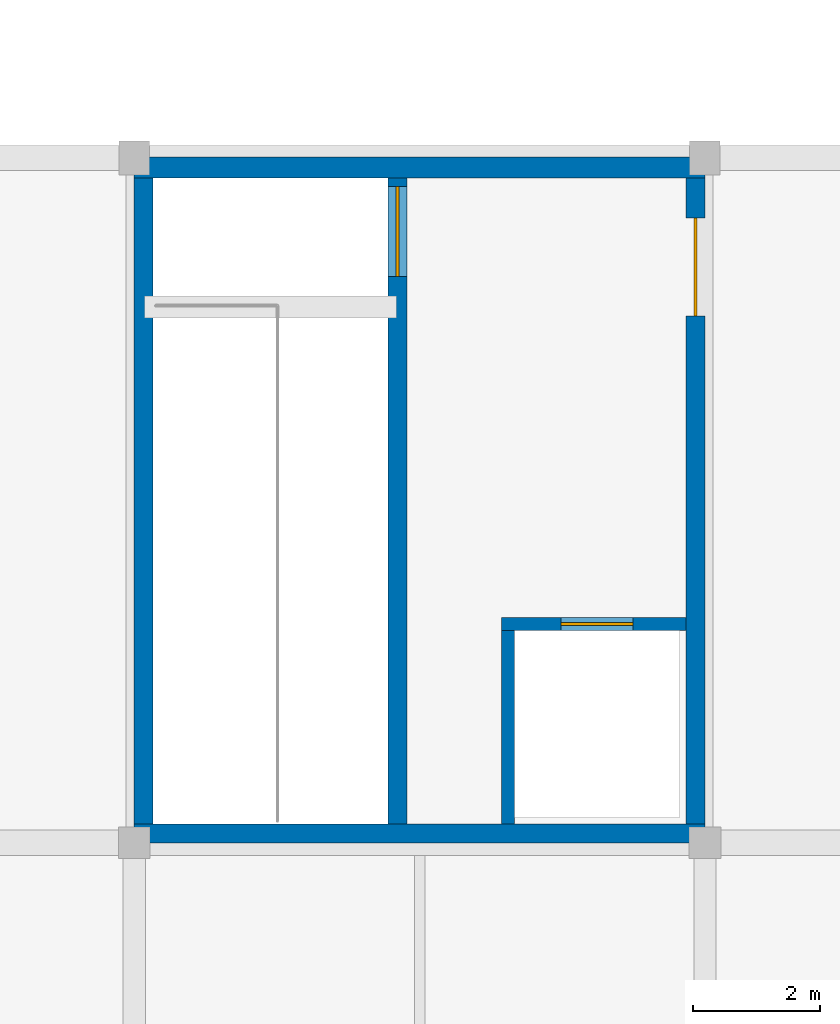
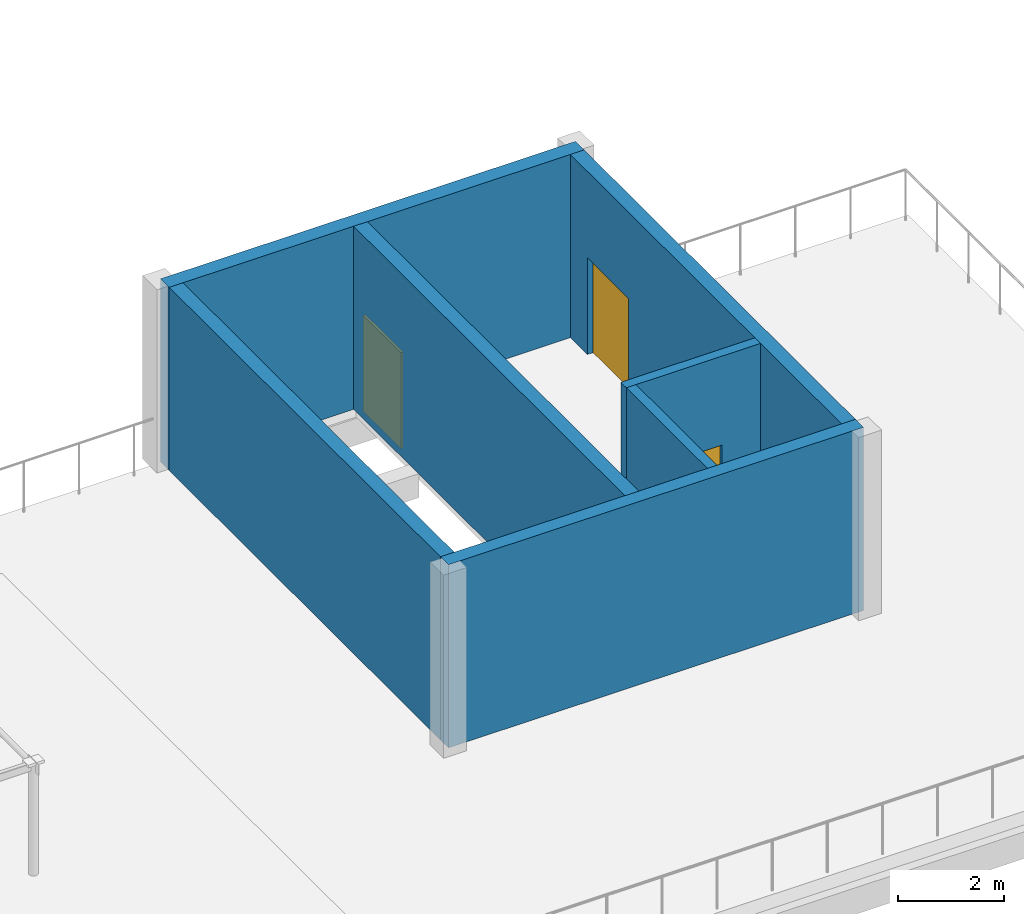
# One storey, part 27 of 33: 7 walls, 3 doors, 3 openings.
"""IFC4 building model written with IfcOpenShell, lengths in metres."""

from ifc_helpers import new_model, si_unit, direction, frame, frame_2d, origin, place, context, subcontext, project, spatial, rectangle, extrude, material, layer, layer_set, type_object, element, fill, save


model = new_model("IFC4")

# Units and contexts
model_context = context("Model", 3, precision=1e-05, world=origin(), true_north=direction((0.0, 1.0)))
body_context = subcontext(model_context, "Body", "Model", "MODEL_VIEW")
ifc_project = project(units=[si_unit("LENGTHUNIT", "METRE"), si_unit("AREAUNIT", "SQUARE_METRE"), si_unit("VOLUMEUNIT", "CUBIC_METRE"), si_unit("PLANEANGLEUNIT", "RADIAN"), si_unit("MASSUNIT", "GRAM", prefix="KILO")], contexts=[model_context])

# Site, building, storey
site_placement = place(None, origin())
site = spatial("IfcSite", under=ifc_project, at=site_placement, CompositionType="ELEMENT")
building_placement = place(site_placement, origin())
building = spatial("IfcBuilding", under=site, at=building_placement, Name="Lusvemor Sports Hall", CompositionType="ELEMENT")
storey_placement = place(building_placement, frame((0.0, 0.0, 19.199951171875)))
storey = spatial("IfcBuildingStorey", under=building, at=storey_placement, Name="L04", CompositionType="ELEMENT", Elevation=19.199951171875)

# Wall, opening, door
ifc_material_1 = material(Name="Concrete C40/50", Category="concrete")
ifc_layer_1 = layer(ifc_material_1, 0.2099609375)
ifc_layer_set_1 = layer_set([ifc_layer_1], Name="Concrete C40/50")
wall_type_1 = type_object("IfcWallType", Name="IW_SHFT_212", PredefinedType="STANDARD", material=ifc_layer_set_1)
wall_1_placement = place(storey_placement, frame((108.389892578125, 107.85009765625, 0.0), z_axis=(0.0, 0.0, 1.0), x_axis=(1.0, 0.0, 0.0)))
wall_1 = element("IfcWall", 1, at=wall_1_placement, inside=storey, type_object=wall_type_1, Name="Lift LF-02 Shaft Front Wall (L04)", PredefinedType="STANDARD", context=body_context, shape_type="SweptSolid", body=[
    extrude(rectangle(XDim=2.91015625, YDim=0.2099609375, at=frame_2d((1.455078125, 0.0))), origin(), (0.0, 0.0, 1.0), 4.199951171875),
])
opening_1_placement = place(wall_1_placement, frame((0.93994140625, 0.0, 0.0)))
opening_1 = element("IfcOpeningElement", 2, at=opening_1_placement, cuts=wall_1, Name="Opening LD-01", PredefinedType="OPENING", context=body_context, shape_type="SweptSolid", body=[
    extrude(rectangle(XDim=1.139892578125, YDim=2.159912109375, at=frame_2d((0.56982421875, 1.080078125))), frame((0.0, 0.10498046875, 0.0), z_axis=(0.0, -1.0, 0.0), x_axis=(1.0, 0.0, 0.0)), (0.0, 0.0, 1.0), 0.2099609375),
])
ifc_material_2 = material(Name="Brushed stainless-steel sliding lift landing door", Category="steel")
door_type_1 = type_object("IfcDoorType", Name="LIFT_DOOR_FF_114", OperationType="NOTDEFINED", PredefinedType="DOOR", material=ifc_material_2)
door_1_placement = place(opening_1_placement, origin())
door_1 = element("IfcDoor", 3, at=door_1_placement, inside=storey, type_object=door_type_1, Name="DR-087", OperationType="SLIDING_TO_LEFT", OverallHeight=2.159912109375, OverallWidth=1.139892578125, PredefinedType="DOOR", context=body_context, shape_type="SweptSolid", body=[
    extrude(rectangle(XDim=1.139892578125, YDim=2.159912109375, at=frame_2d((0.56982421875, 1.080078125))), frame((0.0, 0.02490234375, 0.0), z_axis=(0.0, -1.0, 0.0), x_axis=(1.0, 0.0, 0.0)), (0.0, 0.0, 1.0), 0.050048828125),
])
fill(opening_1, door_1)

# Walls
wall_2_placement = place(storey_placement, frame((108.4951171875, 104.699951171875, 0.0), z_axis=(0.0, 0.0, 1.0), x_axis=(0.0, 1.0, 0.0)))
element("IfcWall", 4, at=wall_2_placement, inside=storey, type_object=wall_type_1, Name="Lift LF-02 Shaft Side Wall (L04)", PredefinedType="STANDARD", context=body_context, shape_type="SweptSolid", body=[
    extrude(rectangle(XDim=3.045166015625, YDim=0.2099609375, at=frame_2d((1.5224609375, 0.0))), origin(), (0.0, 0.0, 1.0), 4.199951171875),
])
ifc_material_3 = material(Name="Concrete C40/50", Category="concrete")
ifc_layer_2 = layer(ifc_material_3, 0.300048828125)
ifc_layer_set_2 = layer_set([ifc_layer_2], Name="Concrete C40/50")
wall_type_2 = type_object("IfcWallType", Name="WALL_CORE_300_INT", PredefinedType="SHEAR", material=ifc_layer_set_2)
wall_3_placement = place(storey_placement, frame((111.60009765625, 104.550048828125, 0.0), z_axis=(0.0, 0.0, 1.0), x_axis=(-1.0, 0.0, 0.0)))
element("IfcWall", 5, at=wall_3_placement, inside=storey, type_object=wall_type_2, Name="Core C4 North-Central Shear Wall S (L04)", PredefinedType="SHEAR", context=body_context, shape_type="SweptSolid", body=[
    extrude(rectangle(XDim=9.0, YDim=0.300048828125, at=frame_2d((4.5, 0.0))), origin(), (0.0, 0.0, 1.0), 4.199951171875),
])
wall_4_placement = place(storey_placement, frame((102.75, 104.699951171875, 0.0), z_axis=(0.0, 0.0, 1.0), x_axis=(0.0, 1.0, 0.0)))
element("IfcWall", 6, at=wall_4_placement, inside=storey, type_object=wall_type_2, Name="Core C4 North-Central Shear Wall W (L04)", PredefinedType="SHEAR", context=body_context, shape_type="SweptSolid", body=[
    extrude(rectangle(XDim=10.199951171875, YDim=0.300048828125, at=frame_2d((5.10009765625, 0.0))), origin(), (0.0, 0.0, 1.0), 4.199951171875),
])

# Wall, opening, door
wall_5_placement = place(storey_placement, frame((111.449951171875, 114.89990234375, 0.0), z_axis=(0.0, 0.0, 1.0), x_axis=(0.0, -1.0, 0.0)))
wall_5 = element("IfcWall", 7, at=wall_5_placement, inside=storey, type_object=wall_type_2, Name="Core C4 North-Central Shear Wall E (L04)", PredefinedType="SHEAR", context=body_context, shape_type="SweptSolid", body=[
    extrude(rectangle(XDim=10.199951171875, YDim=0.300048828125, at=frame_2d((5.10009765625, 0.0))), origin(), (0.0, 0.0, 1.0), 4.199951171875),
])
opening_2_placement = place(wall_5_placement, frame((0.64990234375, 0.0, 0.0)))
opening_2 = element("IfcOpeningElement", 8, at=opening_2_placement, cuts=wall_5, Name="Opening DR-FD60-01", PredefinedType="OPENING", context=body_context, shape_type="SweptSolid", body=[
    extrude(rectangle(XDim=1.5400390625, YDim=2.219970703125, at=frame_2d((0.77001953125, 1.10986328125))), frame((0.0, 0.14990234375, 0.0), z_axis=(0.0, -1.0, 0.0), x_axis=(1.0, 0.0, 0.0)), (0.0, 0.0, 1.0), 0.300048828125),
])
ifc_material_4 = material(Name="Fire-rated insulated painted steel door assembly", Category="steel")
door_type_2 = type_object("IfcDoorType", Name="IDR_LOBBY_FD60_154", OperationType="NOTDEFINED", PredefinedType="DOOR", material=ifc_material_4)
door_2_placement = place(opening_2_placement, origin())
door_2 = element("IfcDoor", 9, at=door_2_placement, inside=storey, type_object=door_type_2, Name="DR-097", OperationType="SINGLE_SWING_LEFT", OverallHeight=2.219970703125, OverallWidth=1.5400390625, PredefinedType="DOOR", context=body_context, shape_type="SweptSolid", body=[
    extrude(rectangle(XDim=1.5400390625, YDim=2.219970703125, at=frame_2d((0.77001953125, 1.10986328125))), frame((0.0, 0.02490234375, 0.0), z_axis=(0.0, -1.0, 0.0), x_axis=(1.0, 0.0, 0.0)), (0.0, 0.0, 1.0), 0.050048828125),
])
fill(opening_2, door_2)

wall_6_placement = place(storey_placement, frame((106.75, 104.699951171875, 0.0), z_axis=(0.0, 0.0, 1.0), x_axis=(0.0, 1.0, 0.0)))
wall_6 = element("IfcWall", 10, at=wall_6_placement, inside=storey, type_object=wall_type_2, Name="Core C4 North-Central Shear Wall M (L04)", PredefinedType="SHEAR", context=body_context, shape_type="SweptSolid", body=[
    extrude(rectangle(XDim=10.199951171875, YDim=0.300048828125, at=frame_2d((5.10009765625, 0.0))), origin(), (0.0, 0.0, 1.0), 4.199951171875),
])
opening_3_placement = place(wall_6_placement, frame((8.6298828125, 0.0, 0.0)))
opening_3 = element("IfcOpeningElement", 11, at=opening_3_placement, cuts=wall_6, Name="Opening DR-FD90-01", PredefinedType="OPENING", context=body_context, shape_type="SweptSolid", body=[
    extrude(rectangle(XDim=1.419921875, YDim=2.199951171875, at=frame_2d((0.7099609375, 1.10009765625))), frame((0.0, 0.14990234375, 0.0), z_axis=(0.0, -1.0, 0.0), x_axis=(1.0, 0.0, 0.0)), (0.0, 0.0, 1.0), 0.300048828125),
])
ifc_material_5 = material(Name="Fire-rated insulated painted steel door assembly", Category="steel")
door_type_3 = type_object("IfcDoorType", Name="IDR_STAIR_FD90_142", OperationType="NOTDEFINED", PredefinedType="DOOR", material=ifc_material_5)
door_3_placement = place(opening_3_placement, origin())
door_3 = element("IfcDoor", 12, at=door_3_placement, inside=storey, type_object=door_type_3, Name="DR-096", OperationType="SINGLE_SWING_RIGHT", OverallHeight=2.199951171875, OverallWidth=1.419921875, PredefinedType="DOOR", context=body_context, shape_type="SweptSolid", body=[
    extrude(rectangle(XDim=1.419921875, YDim=2.199951171875, at=frame_2d((0.7099609375, 1.10009765625))), frame((0.0, 0.02490234375, 0.0), z_axis=(0.0, -1.0, 0.0), x_axis=(1.0, 0.0, 0.0)), (0.0, 0.0, 1.0), 0.050048828125),
])
fill(opening_3, door_3)

# Wall
ifc_material_6 = material(Name="Concrete C40/50", Category="concrete")
ifc_layer_3 = layer(ifc_material_6, 0.324951171875)
ifc_layer_set_3 = layer_set([ifc_layer_3], Name="Concrete C40/50")
wall_type_3 = type_object("IfcWallType", Name="WALL_CORE_325_EXT", PredefinedType="SHEAR", material=ifc_layer_set_3)
wall_7_placement = place(storey_placement, frame((102.60009765625, 115.050048828125, 0.0), z_axis=(0.0, 0.0, 1.0), x_axis=(1.0, 0.0, 0.0)))
element("IfcWall", 13, at=wall_7_placement, inside=storey, type_object=wall_type_3, Name="Core C4 North-Central Shear Wall N (L04)", PredefinedType="SHEAR", context=body_context, shape_type="SweptSolid", body=[
    extrude(rectangle(XDim=9.0, YDim=0.324951171875, at=frame_2d((4.5, 0.0))), origin(), (0.0, 0.0, 1.0), 4.199951171875),
])

save(model, "model.ifc")
